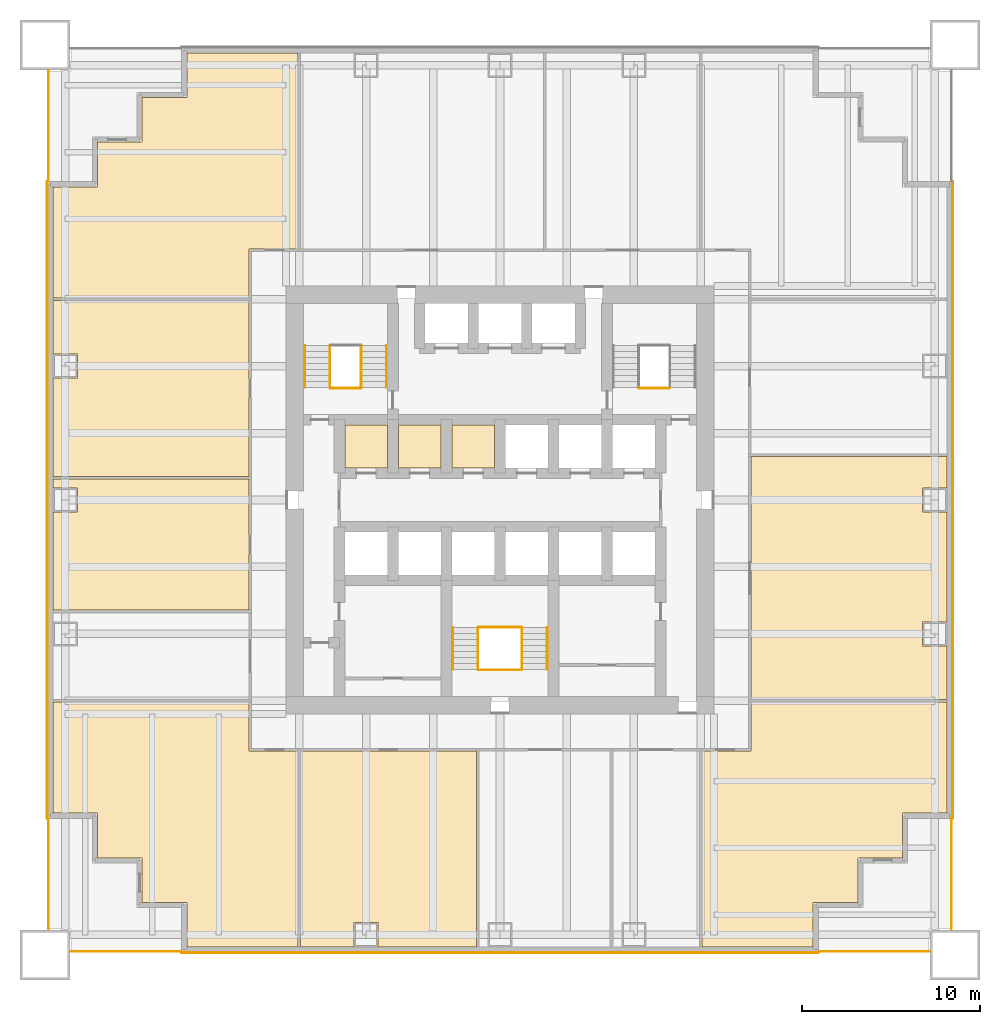
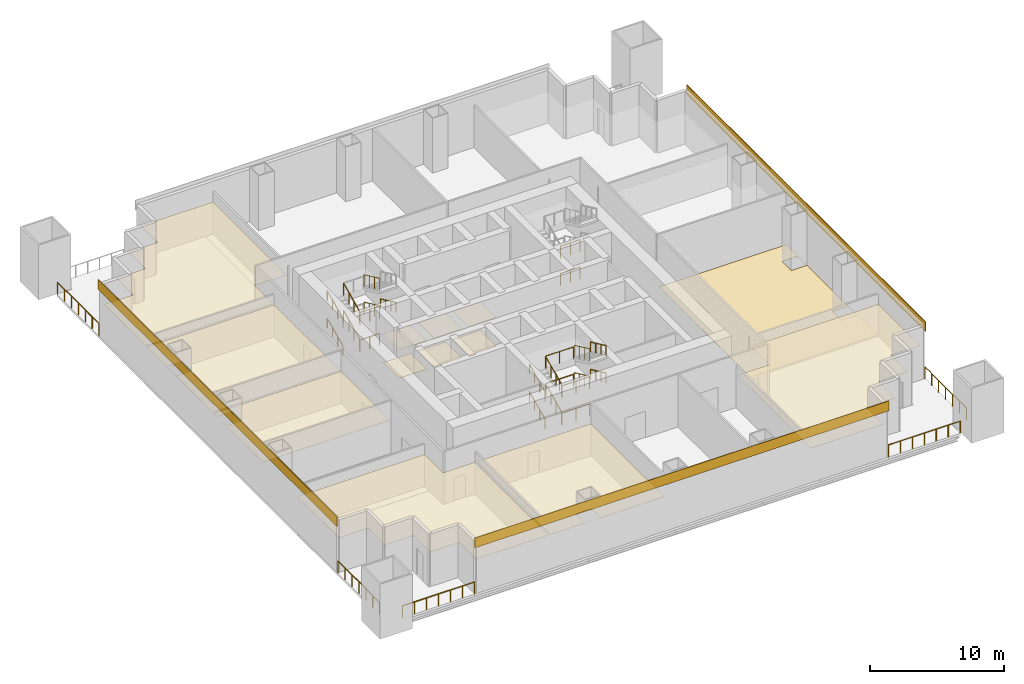
# One storey, part 5 of 6: 28 railings, 16 coverings.
"""IFC4 building model written with IfcOpenShell, lengths in metres."""

from ifc_helpers import new_model, si_unit, direction, frame, origin, origin_2d, place, context, subcontext, project, spatial, polyline, rectangle, circle, outline, extrude, material, layer, layer_set, type_object, element, save


model = new_model("IFC4")

# Units and contexts
model_context = context("Model", 3, precision=1e-05, world=origin(), true_north=direction((0.0, 1.0)))
body_context = subcontext(model_context, "Body", "Model", "MODEL_VIEW")
ifc_project = project(units=[si_unit("LENGTHUNIT", "METRE"), si_unit("AREAUNIT", "SQUARE_METRE"), si_unit("VOLUMEUNIT", "CUBIC_METRE"), si_unit("PLANEANGLEUNIT", "RADIAN"), si_unit("MASSUNIT", "GRAM", prefix="KILO")], contexts=[model_context])

# Site, building, storey
site_placement = place(None, origin())
site = spatial("IfcSite", under=ifc_project, at=site_placement, CompositionType="ELEMENT")
building_placement = place(site_placement, origin())
building = spatial("IfcBuilding", under=site, at=building_placement, Name="Tarangal Relay Tower", CompositionType="ELEMENT")
storey_placement = place(building_placement, frame((0.0, 0.0, 28.39990234375)))
storey = spatial("IfcBuildingStorey", under=building, at=storey_placement, Name="L05", CompositionType="ELEMENT", Elevation=28.39990234375)

# Coverings
ifc_material_1 = material(Name="Anti-static vinyl flooring", Category="plastic")
ifc_layer_1 = layer(ifc_material_1, 0.010009765625)
ifc_layer_set_1 = layer_set([ifc_layer_1], Name="Anti-static vinyl floor")
covering_type_1 = type_object("IfcCoveringType", Name="Anti-static vinyl floor", PredefinedType="FLOORING", material=ifc_layer_set_1)
covering_1_placement = place(storey_placement, origin())
element("IfcCovering", 1, at=covering_1_placement, inside=storey, type_object=covering_type_1, Name="Floor finish FL1 L05-D1", PredefinedType="FLOORING", context=body_context, shape_type="SweptSolid", body=[
    extrude(outline(polyline([(-8.699951171875, 1.800048828125), (-6.300048828125, 1.800048828125), (-6.300048828125, 4.199951171875), (-8.699951171875, 4.199951171875), (-8.699951171875, 1.800048828125)])), origin(), (0.0, 0.0, 1.0), 0.010009765625),
])
covering_2_placement = place(storey_placement, origin())
element("IfcCovering", 2, at=covering_2_placement, inside=storey, type_object=covering_type_1, Name="Floor finish FL1 L05-D2", PredefinedType="FLOORING", context=body_context, shape_type="SweptSolid", body=[
    extrude(outline(polyline([(-5.699951171875, 1.800048828125), (-3.300048828125, 1.800048828125), (-3.300048828125, 4.199951171875), (-5.699951171875, 4.199951171875), (-5.699951171875, 1.800048828125)])), origin(), (0.0, 0.0, 1.0), 0.010009765625),
])
covering_3_placement = place(storey_placement, origin())
element("IfcCovering", 3, at=covering_3_placement, inside=storey, type_object=covering_type_1, Name="Floor finish FL1 L05-D3", PredefinedType="FLOORING", context=body_context, shape_type="SweptSolid", body=[
    extrude(outline(polyline([(-2.699951171875, 1.800048828125), (-0.300048828125, 1.800048828125), (-0.300048828125, 4.199951171875), (-2.699951171875, 4.199951171875), (-2.699951171875, 1.800048828125)])), origin(), (0.0, 0.0, 1.0), 0.010009765625),
])
covering_4_placement = place(storey_placement, origin())
element("IfcCovering", 4, at=covering_4_placement, inside=storey, type_object=covering_type_1, Name="Floor finish FL1 L05-05", PredefinedType="FLOORING", context=body_context, shape_type="SweptSolid", body=[
    extrude(outline(polyline([(25.050048828125, -11.175048828125), (25.050048828125, 2.425048828125), (14.074951171875, 2.425048828125), (14.074951171875, -11.175048828125), (25.050048828125, -11.175048828125)]), holes=[polyline([(25.0400390625, -8.175048828125), (25.0400390625, -6.824951171875), (23.68994140625, -6.824951171875), (23.68994140625, -8.175048828125), (25.0400390625, -8.175048828125)]), polyline([(25.0400390625, -0.675048828125), (25.0400390625, 0.675048828125), (23.68994140625, 0.675048828125), (23.68994140625, -0.675048828125), (25.0400390625, -0.675048828125)])]), origin(), (0.0, 0.0, 1.0), 0.010009765625),
])
ifc_material_2 = material(Name="Black anodised aluminium cladding", Category="aluminium")
ifc_layer_2 = layer(ifc_material_2, 0.050048828125)
ifc_layer_set_2 = layer_set([ifc_layer_2], Name="Black metal spandrel band")
covering_type_2 = type_object("IfcCoveringType", Name="Black metal spandrel band", PredefinedType="CLADDING", material=ifc_layer_set_2)
for number, where, z_axis, x_axis, name in (
    (5, (25.375, 0.0, 4.250244140625), (0.0, 0.0, 1.0), (0.0, -1.0, 0.0), "Spandrel band SB1 E L05"),
    (6, (0.0, -25.375, 4.250244140625), (0.0, 0.0, 1.0), (-1.0, 0.0, 0.0), "Spandrel band SB1 S L05"),
    (7, (-25.375, 0.0, 4.250244140625), (0.0, 0.0, 1.0), (0.0, 1.0, 0.0), "Spandrel band SB1 W L05"),
):
    element("IfcCovering", number, at=place(storey_placement, frame(where, z_axis=z_axis, x_axis=x_axis)), inside=storey, type_object=covering_type_2, Name=name, PredefinedType="CLADDING", context=body_context, shape_type="SweptSolid", body=[
        extrude(rectangle(XDim=35.699951171875, YDim=0.050048828125, at=origin_2d()), origin(), (0.0, 0.0, 1.0), 0.89990234375),
    ])

# Railings
ifc_material_3 = material(Name="Steel guard, black finish", Category="steel")
railing_type_1 = type_object("IfcRailingType", Name="Stair guard 1100", PredefinedType="GUARDRAIL", material=ifc_material_3)
railing_1_placement = place(storey_placement, frame((-9.530029296875, 6.300048828125, 0.15625)))
element("IfcRailing", 8, at=railing_1_placement, inside=storey, type_object=railing_type_1, Name="Stair ST-A guard GR1 L05 flight 1", PredefinedType="GUARDRAIL", context=body_context, shape_type="SweptSolid", body=[
    extrude(circle(Radius=0.02392578125, at=origin_2d()), frame((0.0, 0.0, 1.076171875), z_axis=(0.0, 0.90626748934, 0.422704669676), x_axis=(-1.0, 0.0, 0.0)), (0.0, 0.0, 1.0), 2.58740234375),
    extrude(circle(Radius=0.02099609375, at=origin_2d()), origin(), (0.0, 0.0, 1.0), 1.052001953125),
    extrude(circle(Radius=0.02099609375, at=origin_2d()), frame((0.0, 0.78173828125, 0.364501953125)), (0.0, 0.0, 1.0), 1.052001953125),
    extrude(circle(Radius=0.02099609375, at=origin_2d()), frame((0.0, 1.563232421875, 0.729248046875)), (0.0, 0.0, 1.0), 1.052001953125),
    extrude(circle(Radius=0.02099609375, at=origin_2d()), frame((0.0, 2.344970703125, 1.09375)), (0.0, 0.0, 1.0), 1.052001953125),
])
railing_2_placement = place(storey_placement, frame((-7.77001953125, 8.64501953125, 1.40625)))
element("IfcRailing", 9, at=railing_2_placement, inside=storey, type_object=railing_type_1, Name="Stair ST-A guard GR1 L05 flight 2", PredefinedType="GUARDRAIL", context=body_context, shape_type="SweptSolid", body=[
    extrude(circle(Radius=0.02392578125, at=origin_2d()), frame((0.0, 0.0, 1.076171875), z_axis=(0.0, -0.90626748934, 0.422704669676), x_axis=(1.0, 0.0, 0.0)), (0.0, 0.0, 1.0), 2.58740234375),
    extrude(circle(Radius=0.02099609375, at=origin_2d()), origin(), (0.0, 0.0, 1.0), 1.052001953125),
    extrude(circle(Radius=0.02099609375, at=origin_2d()), frame((0.0, -0.78173828125, 0.364501953125)), (0.0, 0.0, 1.0), 1.052001953125),
    extrude(circle(Radius=0.02099609375, at=origin_2d()), frame((0.0, -1.563232421875, 0.729248046875)), (0.0, 0.0, 1.0), 1.052001953125),
    extrude(circle(Radius=0.02099609375, at=origin_2d()), frame((0.0, -2.344970703125, 1.09375)), (0.0, 0.0, 1.0), 1.052001953125),
])
railing_3_placement = place(storey_placement, frame((-9.530029296875, 6.300048828125, 2.65625)))
element("IfcRailing", 10, at=railing_3_placement, inside=storey, type_object=railing_type_1, Name="Stair ST-A guard GR1 L05 flight 3", PredefinedType="GUARDRAIL", context=body_context, shape_type="SweptSolid", body=[
    extrude(circle(Radius=0.02392578125, at=origin_2d()), frame((0.0, 0.0, 1.076171875), z_axis=(0.0, 0.90626748934, 0.422704669676), x_axis=(-1.0, 0.0, 0.0)), (0.0, 0.0, 1.0), 2.58740234375),
    extrude(circle(Radius=0.02099609375, at=origin_2d()), origin(), (0.0, 0.0, 1.0), 1.052001953125),
    extrude(circle(Radius=0.02099609375, at=origin_2d()), frame((0.0, 0.78173828125, 0.364501953125)), (0.0, 0.0, 1.0), 1.052001953125),
    extrude(circle(Radius=0.02099609375, at=origin_2d()), frame((0.0, 1.563232421875, 0.729248046875)), (0.0, 0.0, 1.0), 1.052001953125),
    extrude(circle(Radius=0.02099609375, at=origin_2d()), frame((0.0, 2.344970703125, 1.09375)), (0.0, 0.0, 1.0), 1.052001953125),
])
railing_4_placement = place(storey_placement, frame((-7.77001953125, 8.64501953125, 3.90625)))
element("IfcRailing", 11, at=railing_4_placement, inside=storey, type_object=railing_type_1, Name="Stair ST-A guard GR1 L05 flight 4", PredefinedType="GUARDRAIL", context=body_context, shape_type="SweptSolid", body=[
    extrude(circle(Radius=0.02392578125, at=origin_2d()), frame((0.0, 0.0, 1.076171875), z_axis=(0.0, -0.90626748934, 0.422704669676), x_axis=(1.0, 0.0, 0.0)), (0.0, 0.0, 1.0), 2.58740234375),
    extrude(circle(Radius=0.02099609375, at=origin_2d()), origin(), (0.0, 0.0, 1.0), 1.052001953125),
    extrude(circle(Radius=0.02099609375, at=origin_2d()), frame((0.0, -0.78173828125, 0.364501953125)), (0.0, 0.0, 1.0), 1.052001953125),
    extrude(circle(Radius=0.02099609375, at=origin_2d()), frame((0.0, -1.563232421875, 0.729248046875)), (0.0, 0.0, 1.0), 1.052001953125),
    extrude(circle(Radius=0.02099609375, at=origin_2d()), frame((0.0, -2.344970703125, 1.09375)), (0.0, 0.0, 1.0), 1.052001953125),
])
for number, where, name in (
    (12, (-9.5, 6.27001953125, 0.0), "Stair ST-A landing guard GR1 L05"),
    (13, (-9.5, 6.27001953125, 2.5), "Stair ST-A landing guard GR1 L05"),
    (14, (7.800048828125, 6.27001953125, 0.0), "Stair ST-B landing guard GR1 L05"),
    (15, (7.800048828125, 6.27001953125, 2.5), "Stair ST-B landing guard GR1 L05"),
):
    element("IfcRailing", number, at=place(storey_placement, frame(where)), inside=storey, type_object=railing_type_1, Name=name, PredefinedType="GUARDRAIL", context=body_context, shape_type="SweptSolid", body=[
        extrude(circle(Radius=0.02392578125, at=origin_2d()), frame((0.0, 0.0, 1.076171875), z_axis=(1.0, 0.0, 0.0), x_axis=(0.0, 1.0, 0.0)), (0.0, 0.0, 1.0), 1.699951171875),
        extrude(circle(Radius=0.02099609375, at=origin_2d()), origin(), (0.0, 0.0, 1.0), 1.052001953125),
        extrude(circle(Radius=0.02099609375, at=origin_2d()), frame((0.85009765625, 0.0, 0.0)), (0.0, 0.0, 1.0), 1.052001953125),
        extrude(circle(Radius=0.02099609375, at=origin_2d()), frame((1.699951171875, 0.0, 0.0)), (0.0, 0.0, 1.0), 1.052001953125),
    ])
railing_5_placement = place(storey_placement, frame((-1.22998046875, -9.5, 0.15625)))
element("IfcRailing", 16, at=railing_5_placement, inside=storey, type_object=railing_type_1, Name="Stair ST-C guard GR1 L05 flight 1", PredefinedType="GUARDRAIL", context=body_context, shape_type="SweptSolid", body=[
    extrude(circle(Radius=0.02392578125, at=origin_2d()), frame((0.0, 0.0, 1.076171875), z_axis=(0.0, 0.90626748934, 0.422704669676), x_axis=(-1.0, 0.0, 0.0)), (0.0, 0.0, 1.0), 2.58740234375),
    extrude(circle(Radius=0.02099609375, at=origin_2d()), origin(), (0.0, 0.0, 1.0), 1.052001953125),
    extrude(circle(Radius=0.02099609375, at=origin_2d()), frame((0.0, 0.78173828125, 0.364501953125)), (0.0, 0.0, 1.0), 1.052001953125),
    extrude(circle(Radius=0.02099609375, at=origin_2d()), frame((0.0, 1.563232421875, 0.729248046875)), (0.0, 0.0, 1.0), 1.052001953125),
    extrude(circle(Radius=0.02099609375, at=origin_2d()), frame((0.0, 2.344970703125, 1.09375)), (0.0, 0.0, 1.0), 1.052001953125),
])
railing_6_placement = place(storey_placement, frame((1.22998046875, -7.155029296875, 1.40625)))
element("IfcRailing", 17, at=railing_6_placement, inside=storey, type_object=railing_type_1, Name="Stair ST-C guard GR1 L05 flight 2", PredefinedType="GUARDRAIL", context=body_context, shape_type="SweptSolid", body=[
    extrude(circle(Radius=0.02392578125, at=origin_2d()), frame((0.0, 0.0, 1.076171875), z_axis=(0.0, -0.90626748934, 0.422704669676), x_axis=(1.0, 0.0, 0.0)), (0.0, 0.0, 1.0), 2.58740234375),
    extrude(circle(Radius=0.02099609375, at=origin_2d()), origin(), (0.0, 0.0, 1.0), 1.052001953125),
    extrude(circle(Radius=0.02099609375, at=origin_2d()), frame((0.0, -0.78173828125, 0.364501953125)), (0.0, 0.0, 1.0), 1.052001953125),
    extrude(circle(Radius=0.02099609375, at=origin_2d()), frame((0.0, -1.563232421875, 0.729248046875)), (0.0, 0.0, 1.0), 1.052001953125),
    extrude(circle(Radius=0.02099609375, at=origin_2d()), frame((0.0, -2.344970703125, 1.09375)), (0.0, 0.0, 1.0), 1.052001953125),
])
railing_7_placement = place(storey_placement, frame((-1.22998046875, -9.5, 2.65625)))
element("IfcRailing", 18, at=railing_7_placement, inside=storey, type_object=railing_type_1, Name="Stair ST-C guard GR1 L05 flight 3", PredefinedType="GUARDRAIL", context=body_context, shape_type="SweptSolid", body=[
    extrude(circle(Radius=0.02392578125, at=origin_2d()), frame((0.0, 0.0, 1.076171875), z_axis=(0.0, 0.90626748934, 0.422704669676), x_axis=(-1.0, 0.0, 0.0)), (0.0, 0.0, 1.0), 2.58740234375),
    extrude(circle(Radius=0.02099609375, at=origin_2d()), origin(), (0.0, 0.0, 1.0), 1.052001953125),
    extrude(circle(Radius=0.02099609375, at=origin_2d()), frame((0.0, 0.78173828125, 0.364501953125)), (0.0, 0.0, 1.0), 1.052001953125),
    extrude(circle(Radius=0.02099609375, at=origin_2d()), frame((0.0, 1.563232421875, 0.729248046875)), (0.0, 0.0, 1.0), 1.052001953125),
    extrude(circle(Radius=0.02099609375, at=origin_2d()), frame((0.0, 2.344970703125, 1.09375)), (0.0, 0.0, 1.0), 1.052001953125),
])
railing_8_placement = place(storey_placement, frame((1.22998046875, -7.155029296875, 3.90625)))
element("IfcRailing", 19, at=railing_8_placement, inside=storey, type_object=railing_type_1, Name="Stair ST-C guard GR1 L05 flight 4", PredefinedType="GUARDRAIL", context=body_context, shape_type="SweptSolid", body=[
    extrude(circle(Radius=0.02392578125, at=origin_2d()), frame((0.0, 0.0, 1.076171875), z_axis=(0.0, -0.90626748934, 0.422704669676), x_axis=(1.0, 0.0, 0.0)), (0.0, 0.0, 1.0), 2.58740234375),
    extrude(circle(Radius=0.02099609375, at=origin_2d()), origin(), (0.0, 0.0, 1.0), 1.052001953125),
    extrude(circle(Radius=0.02099609375, at=origin_2d()), frame((0.0, -0.78173828125, 0.364501953125)), (0.0, 0.0, 1.0), 1.052001953125),
    extrude(circle(Radius=0.02099609375, at=origin_2d()), frame((0.0, -1.563232421875, 0.729248046875)), (0.0, 0.0, 1.0), 1.052001953125),
    extrude(circle(Radius=0.02099609375, at=origin_2d()), frame((0.0, -2.344970703125, 1.09375)), (0.0, 0.0, 1.0), 1.052001953125),
])
for number, where, name in (
    (20, (-1.199951171875, -9.530029296875, 0.0), "Stair ST-C landing guard GR1 L05"),
    (21, (-1.199951171875, -7.125, 1.25), "Stair ST-C landing guard GR1 L05"),
    (22, (-1.199951171875, -9.530029296875, 2.5), "Stair ST-C landing guard GR1 L05"),
    (23, (-1.199951171875, -7.125, 3.75), "Stair ST-C landing guard GR1 L05"),
):
    element("IfcRailing", number, at=place(storey_placement, frame(where)), inside=storey, type_object=railing_type_1, Name=name, PredefinedType="GUARDRAIL", context=body_context, shape_type="SweptSolid", body=[
        extrude(circle(Radius=0.02392578125, at=origin_2d()), frame((0.0, 0.0, 1.076171875), z_axis=(1.0, 0.0, 0.0), x_axis=(0.0, 1.0, 0.0)), (0.0, 0.0, 1.0), 2.39990234375),
        extrude(circle(Radius=0.02099609375, at=origin_2d()), origin(), (0.0, 0.0, 1.0), 1.052001953125),
        extrude(circle(Radius=0.02099609375, at=origin_2d()), frame((1.199951171875, 0.0, 0.0)), (0.0, 0.0, 1.0), 1.052001953125),
        extrude(circle(Radius=0.02099609375, at=origin_2d()), frame((2.39990234375, 0.0, 0.0)), (0.0, 0.0, 1.0), 1.052001953125),
    ])
ifc_material_4 = material(Name="Steel handrail, black finish", Category="steel")
railing_type_2 = type_object("IfcRailingType", Name="Stair handrail 900", PredefinedType="HANDRAIL", material=ifc_material_4)
railing_9_placement = place(storey_placement, frame((-10.93994140625, 6.300048828125, 0.15625)))
element("IfcRailing", 24, at=railing_9_placement, inside=storey, type_object=railing_type_2, Name="Stair ST-A handrail HR1 L05 flight 1", PredefinedType="HANDRAIL", context=body_context, shape_type="SweptSolid", body=[
    extrude(circle(Radius=0.02392578125, at=origin_2d()), frame((0.0, 0.0, 0.8759765625), z_axis=(0.0, 0.90626748934, 0.422704669676), x_axis=(-1.0, 0.0, 0.0)), (0.0, 0.0, 1.0), 2.58740234375),
    extrude(circle(Radius=0.02099609375, at=origin_2d()), origin(), (0.0, 0.0, 1.0), 0.851806640625),
    extrude(circle(Radius=0.02099609375, at=origin_2d()), frame((0.0, 0.78173828125, 0.364501953125)), (0.0, 0.0, 1.0), 0.851806640625),
    extrude(circle(Radius=0.02099609375, at=origin_2d()), frame((0.0, 1.563232421875, 0.729248046875)), (0.0, 0.0, 1.0), 0.851806640625),
    extrude(circle(Radius=0.02099609375, at=origin_2d()), frame((0.0, 2.344970703125, 1.09375)), (0.0, 0.0, 1.0), 0.851806640625),
])
railing_10_placement = place(storey_placement, frame((-6.360107421875, 8.64501953125, 1.40625)))
element("IfcRailing", 25, at=railing_10_placement, inside=storey, type_object=railing_type_2, Name="Stair ST-A handrail HR1 L05 flight 2", PredefinedType="HANDRAIL", context=body_context, shape_type="SweptSolid", body=[
    extrude(circle(Radius=0.02392578125, at=origin_2d()), frame((0.0, 0.0, 0.8759765625), z_axis=(0.0, -0.90626748934, 0.422704669676), x_axis=(1.0, 0.0, 0.0)), (0.0, 0.0, 1.0), 2.58740234375),
    extrude(circle(Radius=0.02099609375, at=origin_2d()), origin(), (0.0, 0.0, 1.0), 0.851806640625),
    extrude(circle(Radius=0.02099609375, at=origin_2d()), frame((0.0, -0.78173828125, 0.364501953125)), (0.0, 0.0, 1.0), 0.851806640625),
    extrude(circle(Radius=0.02099609375, at=origin_2d()), frame((0.0, -1.563232421875, 0.729248046875)), (0.0, 0.0, 1.0), 0.851806640625),
    extrude(circle(Radius=0.02099609375, at=origin_2d()), frame((0.0, -2.344970703125, 1.09375)), (0.0, 0.0, 1.0), 0.851806640625),
])
for number, where, name in (
    (26, (-10.93994140625, 6.300048828125, 2.65625), "Stair ST-A handrail HR1 L05 flight 3"),
    (27, (-2.639892578125, -9.5, 0.15625), "Stair ST-C handrail HR1 L05 flight 1"),
):
    element("IfcRailing", number, at=place(storey_placement, frame(where)), inside=storey, type_object=railing_type_2, Name=name, PredefinedType="HANDRAIL", context=body_context, shape_type="SweptSolid", body=[
        extrude(circle(Radius=0.02392578125, at=origin_2d()), frame((0.0, 0.0, 0.8759765625), z_axis=(0.0, 0.90626748934, 0.422704669676), x_axis=(-1.0, 0.0, 0.0)), (0.0, 0.0, 1.0), 2.58740234375),
        extrude(circle(Radius=0.02099609375, at=origin_2d()), origin(), (0.0, 0.0, 1.0), 0.851806640625),
        extrude(circle(Radius=0.02099609375, at=origin_2d()), frame((0.0, 0.78173828125, 0.364501953125)), (0.0, 0.0, 1.0), 0.851806640625),
        extrude(circle(Radius=0.02099609375, at=origin_2d()), frame((0.0, 1.563232421875, 0.729248046875)), (0.0, 0.0, 1.0), 0.851806640625),
        extrude(circle(Radius=0.02099609375, at=origin_2d()), frame((0.0, 2.344970703125, 1.09375)), (0.0, 0.0, 1.0), 0.851806640625),
    ])
railing_11_placement = place(storey_placement, frame((2.639892578125, -7.155029296875, 1.40625)))
element("IfcRailing", 28, at=railing_11_placement, inside=storey, type_object=railing_type_2, Name="Stair ST-C handrail HR1 L05 flight 2", PredefinedType="HANDRAIL", context=body_context, shape_type="SweptSolid", body=[
    extrude(circle(Radius=0.02392578125, at=origin_2d()), frame((0.0, 0.0, 0.8759765625), z_axis=(0.0, -0.90626748934, 0.422704669676), x_axis=(1.0, 0.0, 0.0)), (0.0, 0.0, 1.0), 2.58740234375),
    extrude(circle(Radius=0.02099609375, at=origin_2d()), origin(), (0.0, 0.0, 1.0), 0.851806640625),
    extrude(circle(Radius=0.02099609375, at=origin_2d()), frame((0.0, -0.78173828125, 0.364501953125)), (0.0, 0.0, 1.0), 0.851806640625),
    extrude(circle(Radius=0.02099609375, at=origin_2d()), frame((0.0, -1.563232421875, 0.729248046875)), (0.0, 0.0, 1.0), 0.851806640625),
    extrude(circle(Radius=0.02099609375, at=origin_2d()), frame((0.0, -2.344970703125, 1.09375)), (0.0, 0.0, 1.0), 0.851806640625),
])
railing_12_placement = place(storey_placement, frame((-2.639892578125, -9.5, 2.65625)))
element("IfcRailing", 29, at=railing_12_placement, inside=storey, type_object=railing_type_2, Name="Stair ST-C handrail HR1 L05 flight 3", PredefinedType="HANDRAIL", context=body_context, shape_type="SweptSolid", body=[
    extrude(circle(Radius=0.02392578125, at=origin_2d()), frame((0.0, 0.0, 0.8759765625), z_axis=(0.0, 0.90626748934, 0.422704669676), x_axis=(-1.0, 0.0, 0.0)), (0.0, 0.0, 1.0), 2.58740234375),
    extrude(circle(Radius=0.02099609375, at=origin_2d()), origin(), (0.0, 0.0, 1.0), 0.851806640625),
    extrude(circle(Radius=0.02099609375, at=origin_2d()), frame((0.0, 0.78173828125, 0.364501953125)), (0.0, 0.0, 1.0), 0.851806640625),
    extrude(circle(Radius=0.02099609375, at=origin_2d()), frame((0.0, 1.563232421875, 0.729248046875)), (0.0, 0.0, 1.0), 0.851806640625),
    extrude(circle(Radius=0.02099609375, at=origin_2d()), frame((0.0, 2.344970703125, 1.09375)), (0.0, 0.0, 1.0), 0.851806640625),
])
railing_13_placement = place(storey_placement, frame((2.639892578125, -7.155029296875, 3.90625)))
element("IfcRailing", 30, at=railing_13_placement, inside=storey, type_object=railing_type_2, Name="Stair ST-C handrail HR1 L05 flight 4", PredefinedType="HANDRAIL", context=body_context, shape_type="SweptSolid", body=[
    extrude(circle(Radius=0.02392578125, at=origin_2d()), frame((0.0, 0.0, 0.8759765625), z_axis=(0.0, -0.90626748934, 0.422704669676), x_axis=(1.0, 0.0, 0.0)), (0.0, 0.0, 1.0), 2.58740234375),
    extrude(circle(Radius=0.02099609375, at=origin_2d()), origin(), (0.0, 0.0, 1.0), 0.851806640625),
    extrude(circle(Radius=0.02099609375, at=origin_2d()), frame((0.0, -0.78173828125, 0.364501953125)), (0.0, 0.0, 1.0), 0.851806640625),
    extrude(circle(Radius=0.02099609375, at=origin_2d()), frame((0.0, -1.563232421875, 0.729248046875)), (0.0, 0.0, 1.0), 0.851806640625),
    extrude(circle(Radius=0.02099609375, at=origin_2d()), frame((0.0, -2.344970703125, 1.09375)), (0.0, 0.0, 1.0), 0.851806640625),
])

# Coverings
ifc_material_5 = material(Name="Mineral fibre ceiling tiles", Category="gypsum")
ifc_layer_3 = layer(ifc_material_5, 0.02001953125)
ifc_layer_set_3 = layer_set([ifc_layer_3], Name="Suspended ceiling")
covering_type_3 = type_object("IfcCoveringType", Name="Suspended ceiling", PredefinedType="CEILING", material=ifc_layer_set_3)
covering_5_placement = place(storey_placement, frame((0.0, 0.0, 2.60009765625)))
element("IfcCovering", 31, at=covering_5_placement, inside=storey, type_object=covering_type_3, Name="Suspended ceiling CL1 L05-D1", PredefinedType="CEILING", context=body_context, shape_type="SweptSolid", body=[
    extrude(outline(polyline([(-8.699951171875, 1.800048828125), (-6.300048828125, 1.800048828125), (-6.300048828125, 4.199951171875), (-8.699951171875, 4.199951171875), (-8.699951171875, 1.800048828125)])), origin(), (0.0, 0.0, 1.0), 0.02001953125),
])
covering_6_placement = place(storey_placement, frame((0.0, 0.0, 2.60009765625)))
element("IfcCovering", 32, at=covering_6_placement, inside=storey, type_object=covering_type_3, Name="Suspended ceiling CL1 L05-D2", PredefinedType="CEILING", context=body_context, shape_type="SweptSolid", body=[
    extrude(outline(polyline([(-5.699951171875, 1.800048828125), (-3.300048828125, 1.800048828125), (-3.300048828125, 4.199951171875), (-5.699951171875, 4.199951171875), (-5.699951171875, 1.800048828125)])), origin(), (0.0, 0.0, 1.0), 0.02001953125),
])
covering_7_placement = place(storey_placement, frame((0.0, 0.0, 2.60009765625)))
element("IfcCovering", 33, at=covering_7_placement, inside=storey, type_object=covering_type_3, Name="Suspended ceiling CL1 L05-D3", PredefinedType="CEILING", context=body_context, shape_type="SweptSolid", body=[
    extrude(outline(polyline([(-2.699951171875, 1.800048828125), (-0.300048828125, 1.800048828125), (-0.300048828125, 4.199951171875), (-2.699951171875, 4.199951171875), (-2.699951171875, 1.800048828125)])), origin(), (0.0, 0.0, 1.0), 0.02001953125),
])
covering_8_placement = place(storey_placement, frame((0.0, 0.0, 2.900146484375)))
element("IfcCovering", 34, at=covering_8_placement, inside=storey, type_object=covering_type_3, Name="Suspended ceiling CL1 L05-08", PredefinedType="CEILING", context=body_context, shape_type="SweptSolid", body=[
    extrude(outline(polyline([(-11.175048828125, -25.050048828125), (-1.324951171875, -25.050048828125), (-1.324951171875, -14.074951171875), (-11.175048828125, -14.074951171875), (-11.175048828125, -25.050048828125)]), holes=[polyline([(-6.824951171875, -23.68994140625), (-8.175048828125, -23.68994140625), (-8.175048828125, -25.0400390625), (-6.824951171875, -25.0400390625), (-6.824951171875, -23.68994140625)])]), origin(), (0.0, 0.0, 1.0), 0.02001953125),
])
covering_9_placement = place(storey_placement, frame((0.0, 0.0, 2.900146484375)))
element("IfcCovering", 35, at=covering_9_placement, inside=storey, type_object=covering_type_3, Name="Suspended ceiling CL1 L05-10", PredefinedType="CEILING", context=body_context, shape_type="SweptSolid", body=[
    extrude(outline(polyline([(-25.050048828125, 1.175048828125), (-25.050048828125, -6.175048828125), (-14.074951171875, -6.175048828125), (-14.074951171875, 1.175048828125), (-25.050048828125, 1.175048828125)]), holes=[polyline([(-23.68994140625, 0.675048828125), (-25.0400390625, 0.675048828125), (-25.0400390625, -0.675048828125), (-23.68994140625, -0.675048828125), (-23.68994140625, 0.675048828125)])]), origin(), (0.0, 0.0, 1.0), 0.02001953125),
])
covering_10_placement = place(storey_placement, frame((0.0, 0.0, 2.900146484375)))
element("IfcCovering", 36, at=covering_10_placement, inside=storey, type_object=covering_type_3, Name="Suspended ceiling CL1 L05-11", PredefinedType="CEILING", context=body_context, shape_type="SweptSolid", body=[
    extrude(outline(polyline([(-25.050048828125, 11.175048828125), (-25.050048828125, 1.324951171875), (-14.074951171875, 1.324951171875), (-14.074951171875, 11.175048828125), (-25.050048828125, 11.175048828125)]), holes=[polyline([(-23.68994140625, 8.175048828125), (-25.0400390625, 8.175048828125), (-25.0400390625, 6.824951171875), (-23.68994140625, 6.824951171875), (-23.68994140625, 8.175048828125)])]), origin(), (0.0, 0.0, 1.0), 0.02001953125),
])
covering_11_placement = place(storey_placement, frame((0.0, 0.0, 2.900146484375)))
element("IfcCovering", 37, at=covering_11_placement, inside=storey, type_object=covering_type_3, Name="Suspended ceiling CL1 L05-13", PredefinedType="CEILING", context=body_context, shape_type="SweptSolid", body=[
    extrude(outline(polyline([(25.050048828125, -17.550048828125), (25.050048828125, -11.324951171875), (14.074951171875, -11.324951171875), (14.074951171875, -14.074951171875), (11.324951171875, -14.074951171875), (11.324951171875, -25.050048828125), (17.550048828125, -25.050048828125), (17.550048828125, -22.550048828125), (20.050048828125, -22.550048828125), (20.050048828125, -20.050048828125), (22.550048828125, -20.050048828125), (22.550048828125, -17.550048828125), (25.050048828125, -17.550048828125)])), origin(), (0.0, 0.0, 1.0), 0.02001953125),
])
covering_12_placement = place(storey_placement, frame((0.0, 0.0, 2.900146484375)))
element("IfcCovering", 38, at=covering_12_placement, inside=storey, type_object=covering_type_3, Name="Suspended ceiling CL1 L05-14", PredefinedType="CEILING", context=body_context, shape_type="SweptSolid", body=[
    extrude(outline(polyline([(-17.550048828125, -22.550048828125), (-17.550048828125, -25.050048828125), (-11.324951171875, -25.050048828125), (-11.324951171875, -14.074951171875), (-14.074951171875, -14.074951171875), (-14.074951171875, -11.324951171875), (-25.050048828125, -11.324951171875), (-25.050048828125, -17.550048828125), (-22.550048828125, -17.550048828125), (-22.550048828125, -20.050048828125), (-20.050048828125, -20.050048828125), (-20.050048828125, -22.550048828125), (-17.550048828125, -22.550048828125)])), origin(), (0.0, 0.0, 1.0), 0.02001953125),
])
covering_13_placement = place(storey_placement, frame((0.0, 0.0, 2.900146484375)))
element("IfcCovering", 39, at=covering_13_placement, inside=storey, type_object=covering_type_3, Name="Suspended ceiling CL1 L05-15", PredefinedType="CEILING", context=body_context, shape_type="SweptSolid", body=[
    extrude(outline(polyline([(-22.550048828125, 17.550048828125), (-25.050048828125, 17.550048828125), (-25.050048828125, 11.324951171875), (-14.074951171875, 11.324951171875), (-14.074951171875, 14.074951171875), (-11.324951171875, 14.074951171875), (-11.324951171875, 25.050048828125), (-17.550048828125, 25.050048828125), (-17.550048828125, 22.550048828125), (-20.050048828125, 22.550048828125), (-20.050048828125, 20.050048828125), (-22.550048828125, 20.050048828125), (-22.550048828125, 17.550048828125)])), origin(), (0.0, 0.0, 1.0), 0.02001953125),
])

# Railings
ifc_material_6 = material(Name="Black steel guard with glass infill", Category="steel")
railing_type_3 = type_object("IfcRailingType", Name="Terrace guard 1100", PredefinedType="GUARDRAIL", material=ifc_material_6)
railing_14_placement = place(storey_placement, frame((25.300048828125, -17.85009765625, 0.0)))
element("IfcRailing", 40, at=railing_14_placement, inside=storey, type_object=railing_type_3, Name="Terrace guard GR2 SE L05", PredefinedType="GUARDRAIL", context=body_context, shape_type="SweptSolid", body=[
    extrude(circle(Radius=0.02392578125, at=origin_2d()), frame((0.0, 0.0, 1.076171875), z_axis=(0.0, -1.0, 0.0), x_axis=(1.0, 0.0, 0.0)), (0.0, 0.0, 1.0), 6.199951171875),
    extrude(circle(Radius=0.02099609375, at=origin_2d()), origin(), (0.0, 0.0, 1.0), 1.052001953125),
    extrude(circle(Radius=0.02099609375, at=origin_2d()), frame((0.0, -1.033203125, 0.0)), (0.0, 0.0, 1.0), 1.052001953125),
    extrude(circle(Radius=0.02099609375, at=origin_2d()), frame((0.0, -2.066650390625, 0.0)), (0.0, 0.0, 1.0), 1.052001953125),
    extrude(circle(Radius=0.02099609375, at=origin_2d()), frame((0.0, -3.10009765625, 0.0)), (0.0, 0.0, 1.0), 1.052001953125),
    extrude(circle(Radius=0.02099609375, at=origin_2d()), frame((0.0, -4.13330078125, 0.0)), (0.0, 0.0, 1.0), 1.052001953125),
    extrude(circle(Radius=0.02099609375, at=origin_2d()), frame((0.0, -5.16650390625, 0.0)), (0.0, 0.0, 1.0), 1.052001953125),
    extrude(circle(Radius=0.02099609375, at=origin_2d()), frame((0.0, -6.199951171875, 0.0)), (0.0, 0.0, 1.0), 1.052001953125),
])
for number, where, name in (
    (41, (24.050048828125, -25.300048828125, 0.0), "Terrace guard GR2 SE L05"),
    (42, (-17.85009765625, -25.300048828125, 0.0), "Terrace guard GR2 SW L05"),
):
    element("IfcRailing", number, at=place(storey_placement, frame(where)), inside=storey, type_object=railing_type_3, Name=name, PredefinedType="GUARDRAIL", context=body_context, shape_type="SweptSolid", body=[
        extrude(circle(Radius=0.02392578125, at=origin_2d()), frame((0.0, 0.0, 1.076171875), z_axis=(-1.0, 0.0, 0.0), x_axis=(0.0, -1.0, 0.0)), (0.0, 0.0, 1.0), 6.199951171875),
        extrude(circle(Radius=0.02099609375, at=origin_2d()), origin(), (0.0, 0.0, 1.0), 1.052001953125),
        extrude(circle(Radius=0.02099609375, at=origin_2d()), frame((-1.033203125, 0.0, 0.0)), (0.0, 0.0, 1.0), 1.052001953125),
        extrude(circle(Radius=0.02099609375, at=origin_2d()), frame((-2.066650390625, 0.0, 0.0)), (0.0, 0.0, 1.0), 1.052001953125),
        extrude(circle(Radius=0.02099609375, at=origin_2d()), frame((-3.10009765625, 0.0, 0.0)), (0.0, 0.0, 1.0), 1.052001953125),
        extrude(circle(Radius=0.02099609375, at=origin_2d()), frame((-4.13330078125, 0.0, 0.0)), (0.0, 0.0, 1.0), 1.052001953125),
        extrude(circle(Radius=0.02099609375, at=origin_2d()), frame((-5.16650390625, 0.0, 0.0)), (0.0, 0.0, 1.0), 1.052001953125),
        extrude(circle(Radius=0.02099609375, at=origin_2d()), frame((-6.199951171875, 0.0, 0.0)), (0.0, 0.0, 1.0), 1.052001953125),
    ])
for number, where, name in (
    (43, (-25.300048828125, -24.050048828125, 0.0), "Terrace guard GR2 SW L05"),
    (44, (-25.300048828125, 17.85009765625, 0.0), "Terrace guard GR2 NW L05"),
):
    element("IfcRailing", number, at=place(storey_placement, frame(where)), inside=storey, type_object=railing_type_3, Name=name, PredefinedType="GUARDRAIL", context=body_context, shape_type="SweptSolid", body=[
        extrude(circle(Radius=0.02392578125, at=origin_2d()), frame((0.0, 0.0, 1.076171875), z_axis=(0.0, 1.0, 0.0), x_axis=(-1.0, 0.0, 0.0)), (0.0, 0.0, 1.0), 6.199951171875),
        extrude(circle(Radius=0.02099609375, at=origin_2d()), origin(), (0.0, 0.0, 1.0), 1.052001953125),
        extrude(circle(Radius=0.02099609375, at=origin_2d()), frame((0.0, 1.033203125, 0.0)), (0.0, 0.0, 1.0), 1.052001953125),
        extrude(circle(Radius=0.02099609375, at=origin_2d()), frame((0.0, 2.066650390625, 0.0)), (0.0, 0.0, 1.0), 1.052001953125),
        extrude(circle(Radius=0.02099609375, at=origin_2d()), frame((0.0, 3.10009765625, 0.0)), (0.0, 0.0, 1.0), 1.052001953125),
        extrude(circle(Radius=0.02099609375, at=origin_2d()), frame((0.0, 4.13330078125, 0.0)), (0.0, 0.0, 1.0), 1.052001953125),
        extrude(circle(Radius=0.02099609375, at=origin_2d()), frame((0.0, 5.16650390625, 0.0)), (0.0, 0.0, 1.0), 1.052001953125),
        extrude(circle(Radius=0.02099609375, at=origin_2d()), frame((0.0, 6.199951171875, 0.0)), (0.0, 0.0, 1.0), 1.052001953125),
    ])

save(model, "model.ifc")
